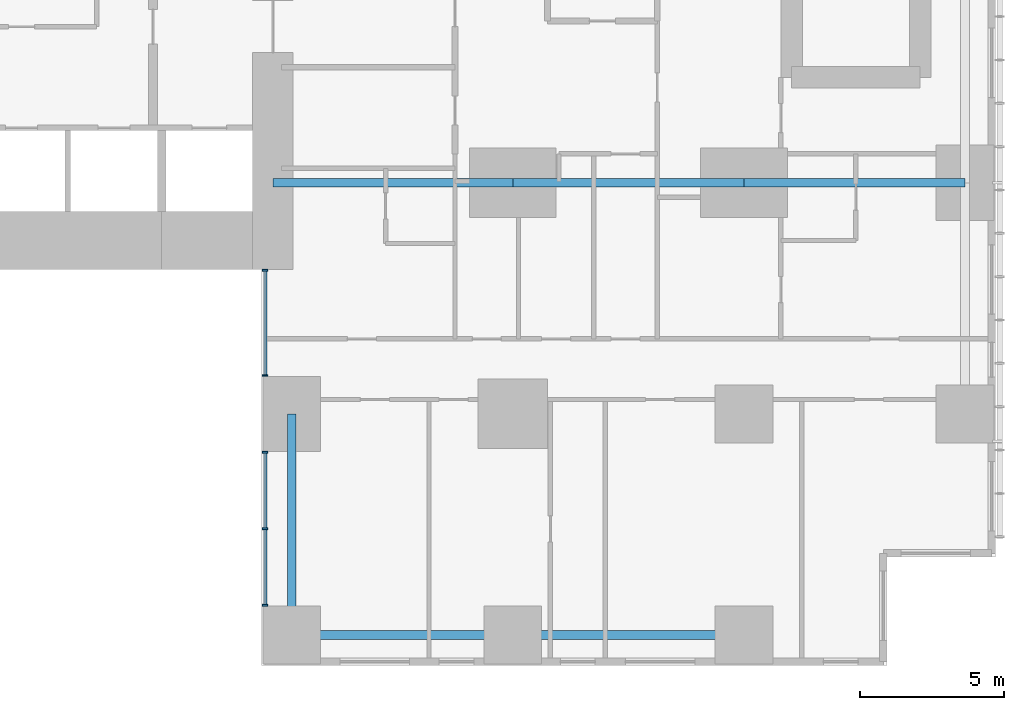
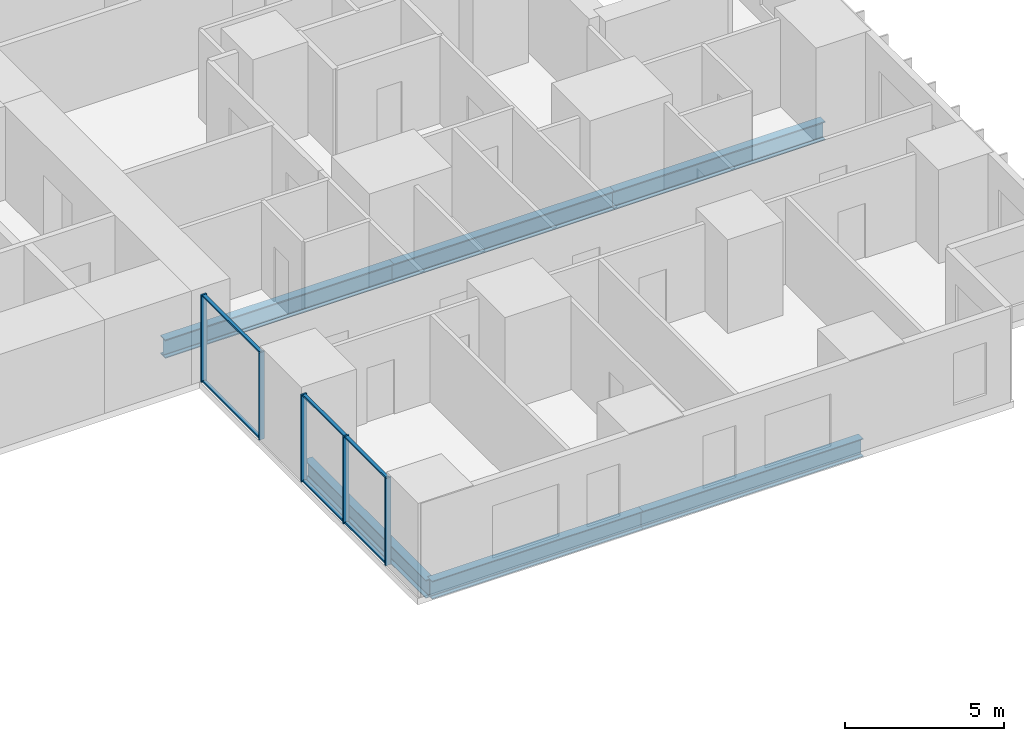
# One storey, part 3 of 20: 11 members, 6 beams, 2 elements without a shape of their own.
"""IFC4 building model written with IfcOpenShell, lengths in metres."""

import ifcopenshell
import ifcopenshell.guid

model = None  # the IFC model being written
_history = None  # IfcOwnerHistory: only IFC2X3 demands one
_inside = {}  # id of a spatial element -> (the spatial element, [elements in it])
_under = {}  # id of a project, library or spatial element -> (it, [spatial elements below it])
_declared = {}  # id of a project -> (the project, [libraries it declares])
_typed = {}  # id of a type object -> (the type object, [elements of that type])
_made_of = {}  # id of a material, layer set ... -> (it, [elements and type objects made of it])


def new_model(schema):
    """Start an empty IFC model of exactly this schema.

    Asked for "IFC4X3", IfcOpenShell would pick the latest addendum, in which some entities
    have other attributes; the version numbers below select the first issue.
    IFC2X3 requires an IfcOwnerHistory on every rooted entity: one is made here for all.
    """
    global model, _history
    if schema == "IFC4X3":
        model = ifcopenshell.file(schema_version=(4, 3, 0, 0))
    else:
        model = ifcopenshell.file(schema=schema)
    _inside.clear()
    _under.clear()
    _declared.clear()
    _typed.clear()
    _made_of.clear()
    _history = None
    if model.schema == "IFC2X3":
        org = make("IfcOrganization", Name="unknown")
        user = make(
            "IfcPersonAndOrganization",
            ThePerson=make("IfcPerson", FamilyName="unknown"),
            TheOrganization=org,
        )
        app = make(
            "IfcApplication",
            ApplicationDeveloper=org,
            Version="unknown",
            ApplicationFullName="unknown",
            ApplicationIdentifier="unknown",
        )
        _history = make(
            "IfcOwnerHistory",
            OwningUser=user,
            OwningApplication=app,
            ChangeAction="ADDED",
            CreationDate=0,
        )
    return model


def make(cls, **values):
    """One entity of the class cls with the attributes given. An attribute that is None is left unset."""
    return model.create_entity(
        cls, **{name: value for name, value in values.items() if value is not None}
    )


def rooted(cls, **values):
    """An entity with a GlobalId (a new one), such as an element, a storey or a relation."""
    return make(cls, GlobalId=ifcopenshell.guid.new(), OwnerHistory=_history, **values)


def si_unit(unit_type, name, prefix=None):
    """IfcSIUnit, for example si_unit("LENGTHUNIT", "METRE", prefix="MILLI")."""
    return make("IfcSIUnit", UnitType=unit_type, Prefix=prefix, Name=name)


def assignment(units):
    """IfcUnitAssignment: the units of a project."""
    return None if units is None else make("IfcUnitAssignment", Units=units)


def point(xyz):
    """IfcCartesianPoint."""
    return None if xyz is None else make("IfcCartesianPoint", Coordinates=xyz)


def direction(xyz):
    """IfcDirection."""
    return None if xyz is None else make("IfcDirection", DirectionRatios=xyz)


def frame(location, z_axis=None, x_axis=None):
    """IfcAxis2Placement3D, a coordinate frame: its origin and axes. An axis left out is left unset."""
    return make(
        "IfcAxis2Placement3D",
        Location=point(location),
        Axis=direction(z_axis),
        RefDirection=direction(x_axis),
    )


def frame_2d(location, x_axis=None):
    """IfcAxis2Placement2D, a coordinate frame in the plane: its origin and x axis."""
    return make(
        "IfcAxis2Placement2D", Location=point(location), RefDirection=direction(x_axis)
    )


def origin():
    """The frame at (0, 0, 0) with its axes left unset."""
    return frame((0.0, 0.0, 0.0))


def origin_2d():
    """The frame at (0, 0) in the plane with its x axis left unset."""
    return frame_2d((0.0, 0.0))


def place(relative_to, where):
    """IfcLocalPlacement: puts the frame where relative to a parent placement (None: the world)."""
    return make(
        "IfcLocalPlacement", PlacementRelTo=relative_to, RelativePlacement=where
    )


def context(
    kind, dimensions, precision=None, world=None, true_north=None, identifier=None
):
    """IfcGeometricRepresentationContext, for example the 3D "Model" context."""
    return make(
        "IfcGeometricRepresentationContext",
        ContextIdentifier=identifier,
        ContextType=kind,
        CoordinateSpaceDimension=dimensions,
        Precision=precision,
        WorldCoordinateSystem=world,
        TrueNorth=true_north,
    )


def subcontext(parent, identifier, kind, view, scale=None):
    """IfcGeometricRepresentationSubContext, for example "Body" below "Model"."""
    return make(
        "IfcGeometricRepresentationSubContext",
        ContextIdentifier=identifier,
        ContextType=kind,
        ParentContext=parent,
        TargetScale=scale,
        TargetView=view,
    )


def project(units=None, contexts=None):
    """IfcProject with its units and contexts."""
    return rooted(
        "IfcProject",
        Name="project",
        RepresentationContexts=contexts,
        UnitsInContext=assignment(units),
    )


def spatial(cls, under=None, at=None, **own):
    """A site, building, storey or space (cls), placed at a placement, below another one or the project."""
    s = rooted(cls, ObjectPlacement=at, **own)
    if under is not None:
        _under.setdefault(under.id(), (under, []))[1].append(s)
    return s


def profile(cls, at=None, kind="AREA", **sizes):
    """A parametric profile (cls). Its sizes go by their IFC names, for example OverallWidth=200.0."""
    return make(cls, ProfileType=kind, Position=at, **sizes)


def rectangle(**sizes):
    """IfcRectangleProfileDef."""
    return profile("IfcRectangleProfileDef", **sizes)


def i_section(**sizes):
    """IfcIShapeProfileDef."""
    return profile("IfcIShapeProfileDef", **sizes)


def extrude(swept, where, along, depth):
    """IfcExtrudedAreaSolid: the profile swept, set in the frame where, extruded along a direction by depth."""
    return make(
        "IfcExtrudedAreaSolid",
        SweptArea=swept,
        Position=where,
        ExtrudedDirection=direction(along),
        Depth=depth,
    )


def shape(context_of_items, identifier, shape_type, items):
    """IfcShapeRepresentation: the items that make up one representation, for example the "Body"."""
    return make(
        "IfcShapeRepresentation",
        ContextOfItems=context_of_items,
        RepresentationIdentifier=identifier,
        RepresentationType=shape_type,
        Items=items,
    )


def material(Name=None, Category=None):
    """IfcMaterial."""
    return make("IfcMaterial", Name=Name, Category=Category)


def layer(
    of_material, thickness, ventilated=None, Name=None, Category=None, Priority=None
):
    """IfcMaterialLayer: one layer of a wall or slab, of a material (None: an air gap)."""
    return make(
        "IfcMaterialLayer",
        Material=of_material,
        LayerThickness=thickness,
        IsVentilated=ventilated,
        Name=Name,
        Category=Category,
        Priority=Priority,
    )


def layer_set(layers, Name=None):
    """IfcMaterialLayerSet."""
    return make("IfcMaterialLayerSet", MaterialLayers=layers, LayerSetName=Name)


def material_profile(
    of_material, cross_section, Name=None, Category=None, Priority=None
):
    """IfcMaterialProfile: a cross section and its material."""
    return make(
        "IfcMaterialProfile",
        Name=Name,
        Material=of_material,
        Profile=cross_section,
        Priority=Priority,
        Category=Category,
    )


def profile_set(profiles, Name=None, composite=None):
    """IfcMaterialProfileSet."""
    return make(
        "IfcMaterialProfileSet",
        Name=Name,
        MaterialProfiles=profiles,
        CompositeProfile=composite,
    )


def made_of(thing, what):
    """Note that an element or type object is made of a material, layer set ...; save() writes the relation."""
    if what is not None:
        _made_of.setdefault(what.id(), (what, []))[1].append(thing)
    return thing


def type_object(cls, material=None, **own):
    """A type object (cls), such as IfcWallType, which elements share."""
    return made_of(rooted(cls, **own), material)


def element(
    cls,
    number,
    at=None,
    inside=None,
    cuts=None,
    type_object=None,
    material=None,
    context=None,
    identifier="Body",
    shape_type=None,
    held_by="IfcProductDefinitionShape",
    body=None,
    shapes=None,
    **own,
):
    """One element of the class cls, such as IfcWall. Its Tag is "e" and its number.

    at: its placement. inside: the storey or other place that contains it. cuts: it is an
    opening in that element (IfcRelVoidsElement). A single representation is given by context,
    identifier, shape_type and body (its items); several are given by shapes. held_by: the class
    of the entity that holds the representations. save() writes the other relations.
    """
    e = rooted(cls, Tag="e%d" % number, ObjectPlacement=at, **own)
    if body is not None:
        shapes = [shape(context, identifier, shape_type, body)]
    if shapes is not None:
        e.Representation = make(held_by, Representations=shapes)
    if inside is not None:
        _inside.setdefault(inside.id(), (inside, []))[1].append(e)
    if cuts is not None:
        rooted(
            "IfcRelVoidsElement", RelatingBuildingElement=cuts, RelatedOpeningElement=e
        )
    if type_object is not None:
        _typed.setdefault(type_object.id(), (type_object, []))[1].append(e)
    return made_of(e, material)


def aggregate(whole, parts):
    """IfcRelAggregates: a whole, such as a stair, and the parts it consists of."""
    return rooted("IfcRelAggregates", RelatingObject=whole, RelatedObjects=parts)


def save(model, path):
    """Write the relations noted so far, then the file.

    IfcRelAggregates (storeys below a building ...), IfcRelContainedInSpatialStructure (elements
    in a storey), IfcRelDefinesByType, IfcRelAssociatesMaterial and IfcRelDeclares: one each for
    every whole, place, type object, material and project.
    """
    for whole, parts in _under.values():
        aggregate(whole, parts)
    for where, things in _inside.values():
        rooted(
            "IfcRelContainedInSpatialStructure",
            RelatedElements=things,
            RelatingStructure=where,
        )
    for kind, things in _typed.values():
        rooted("IfcRelDefinesByType", RelatedObjects=things, RelatingType=kind)
    for what, things in _made_of.values():
        rooted("IfcRelAssociatesMaterial", RelatedObjects=things, RelatingMaterial=what)
    for by, libraries in _declared.values():
        rooted("IfcRelDeclares", RelatingContext=by, RelatedDefinitions=libraries)
    model.write(path)


model = new_model("IFC4")

# Units and contexts
model_context = context("Model", 3, precision=1e-05, world=origin(), true_north=direction((0.0, 1.0)))
body_context = subcontext(model_context, "Body", "Model", "MODEL_VIEW")
ifc_project = project(units=[si_unit("LENGTHUNIT", "METRE"), si_unit("AREAUNIT", "SQUARE_METRE"), si_unit("VOLUMEUNIT", "CUBIC_METRE"), si_unit("PLANEANGLEUNIT", "RADIAN"), si_unit("MASSUNIT", "GRAM", prefix="KILO")], contexts=[model_context])

# Site, building, storey
site_placement = place(None, origin())
site = spatial("IfcSite", under=ifc_project, at=site_placement, CompositionType="ELEMENT")
building_placement = place(site_placement, origin())
building = spatial("IfcBuilding", under=site, at=building_placement, Name="Cleftline Residences", CompositionType="ELEMENT")
storey_placement = place(building_placement, frame((0.0, 0.0, 62.0)))
storey = spatial("IfcBuildingStorey", under=building, at=storey_placement, Name="L15", CompositionType="ELEMENT", Elevation=62.0)

# Beams
ifc_material_1 = material(Name="Steel S355", Category="steel")
ifc_material_profile_1 = material_profile(ifc_material_1, i_section(OverallWidth=0.300048828125, OverallDepth=0.699951171875, WebThickness=0.01708984375, FlangeThickness=0.031982421875, FilletRadius=0.027099609375, at=origin_2d()))
ifc_profile_set_1 = profile_set([ifc_material_profile_1], Name="Steel S355")
beam_type_1 = type_object("IfcBeamType", Name="BEAM HEB 700", PredefinedType="BEAM", material=ifc_profile_set_1)
beam_1_placement = place(storey_placement, frame((58.0, 0.35009765625, -0.60009765625), z_axis=(-1.0, 0.0, 0.0), x_axis=(0.0, -1.0, 0.0)))
element("IfcBeam", 1, at=beam_1_placement, inside=storey, type_object=beam_type_1, Name="Edge beam", PredefinedType="BEAM", context=body_context, shape_type="SweptSolid", body=[
    extrude(i_section(OverallWidth=0.300048828125, OverallDepth=0.699951171875, WebThickness=0.01708984375, FlangeThickness=0.031982421875, FilletRadius=0.027099609375, at=origin_2d()), origin(), (0.0, 0.0, 1.0), 8.0),
])
for number, where, z_axis, x_axis, name in (
    (2, (50.0, 0.35009765625, -0.60009765625), (-1.0, 0.0, 0.0), (0.0, -1.0, 0.0), "Edge beam"),
    (3, (42.35009765625, 0.35009765625, -0.60009765625), (0.0, 1.0, 0.0), (-1.0, 0.0, 0.0), "Edge beam"),
):
    element("IfcBeam", number, at=place(storey_placement, frame(where, z_axis=z_axis, x_axis=x_axis)), inside=storey, type_object=beam_type_1, Name=name, PredefinedType="BEAM", context=body_context, shape_type="SweptSolid", body=[
        extrude(i_section(OverallWidth=0.300048828125, OverallDepth=0.699951171875, WebThickness=0.01708984375, FlangeThickness=0.031982421875, FilletRadius=0.027099609375, at=origin_2d()), origin(), (0.0, 0.0, 1.0), 7.64990234375),
    ])
ifc_material_2 = material(Name="Steel S355", Category="steel")
ifc_material_profile_2 = material_profile(ifc_material_2, i_section(OverallWidth=0.303955078125, OverallDepth=0.716064453125, WebThickness=0.02099609375, FlangeThickness=0.0400390625, FilletRadius=0.027099609375, at=origin_2d()))
ifc_profile_set_2 = profile_set([ifc_material_profile_2], Name="Steel S355")
beam_type_2 = type_object("IfcBeamType", Name="BEAM HEM 700", PredefinedType="BEAM", material=ifc_profile_set_2)
beam_2_placement = place(storey_placement, frame((65.64990234375, 16.0, -0.60791015625), z_axis=(-1.0, 0.0, 0.0), x_axis=(0.0, -1.0, 0.0)))
element("IfcBeam", 4, at=beam_2_placement, inside=storey, type_object=beam_type_2, Name="Band beam", PredefinedType="BEAM", context=body_context, shape_type="SweptSolid", body=[
    extrude(i_section(OverallWidth=0.303955078125, OverallDepth=0.716064453125, WebThickness=0.02099609375, FlangeThickness=0.0400390625, FilletRadius=0.027099609375, at=origin_2d()), origin(), (0.0, 0.0, 1.0), 7.64990234375),
])
beam_3_placement = place(storey_placement, frame((58.0, 16.0, -0.60791015625), z_axis=(-1.0, 0.0, 0.0), x_axis=(0.0, -1.0, 0.0)))
element("IfcBeam", 5, at=beam_3_placement, inside=storey, type_object=beam_type_2, Name="Band beam", PredefinedType="BEAM", context=body_context, shape_type="SweptSolid", body=[
    extrude(i_section(OverallWidth=0.303955078125, OverallDepth=0.716064453125, WebThickness=0.02099609375, FlangeThickness=0.0400390625, FilletRadius=0.027099609375, at=origin_2d()), origin(), (0.0, 0.0, 1.0), 8.0),
])
beam_4_placement = place(storey_placement, frame((50.0, 16.0, -0.60791015625), z_axis=(-1.0, 0.0, 0.0), x_axis=(0.0, -1.0, 0.0)))
element("IfcBeam", 6, at=beam_4_placement, inside=storey, type_object=beam_type_2, Name="Band beam", PredefinedType="BEAM", context=body_context, shape_type="SweptSolid", body=[
    extrude(i_section(OverallWidth=0.303955078125, OverallDepth=0.716064453125, WebThickness=0.02099609375, FlangeThickness=0.0400390625, FilletRadius=0.027099609375, at=origin_2d()), origin(), (0.0, 0.0, 1.0), 8.300048828125),
])

# Curtain wall, members
ifc_material_3 = material(Name="Aluminium framed curtain wall", Category="aluminium")
ifc_layer = layer(ifc_material_3, 0.199951171875)
ifc_layer_set = layer_set([ifc_layer], Name="CW1 CLEFT GLAZING")
curtain_wall_type = type_object("IfcCurtainWallType", Name="CW1 CLEFT GLAZING", PredefinedType="NOTDEFINED", material=ifc_layer_set)
curtain_wall_1_placement = place(storey_placement, origin())
curtain_wall_1 = element("IfcCurtainWall", 7, at=curtain_wall_1_placement, inside=storey, type_object=curtain_wall_type, Name="Curtain wall CW1", PredefinedType="NOTDEFINED")
ifc_material_4 = material(Name="Aluminium mullion", Category="aluminium")
ifc_material_profile_3 = material_profile(ifc_material_4, rectangle(XDim=0.199951171875, YDim=0.06005859375, at=origin_2d()))
ifc_profile_set_3 = profile_set([ifc_material_profile_3], Name="Aluminium mullion")
member_type_1 = type_object("IfcMemberType", Name="CW1 MULLION", PredefinedType="MULLION", material=ifc_profile_set_3)
member_1_placement = place(storey_placement, frame((41.425048828125, 12.969970703125, 0.0), z_axis=(0.0, 0.0, 1.0), x_axis=(1.0, 0.0, 0.0)))
member_1 = element("IfcMember", 8, at=member_1_placement, type_object=member_type_1, Name="CW1 mullion 1", PredefinedType="MULLION", context=body_context, shape_type="SweptSolid", body=[
    extrude(rectangle(XDim=0.199951171875, YDim=0.06005859375, at=origin_2d()), origin(), (0.0, 0.0, 1.0), 3.35009765625),
])
member_2_placement = place(storey_placement, frame((41.425048828125, 9.330078125, 0.0), z_axis=(0.0, 0.0, 1.0), x_axis=(1.0, 0.0, 0.0)))
member_2 = element("IfcMember", 9, at=member_2_placement, type_object=member_type_1, Name="CW1 mullion 2", PredefinedType="MULLION", context=body_context, shape_type="SweptSolid", body=[
    extrude(rectangle(XDim=0.199951171875, YDim=0.06005859375, at=origin_2d()), origin(), (0.0, 0.0, 1.0), 3.35009765625),
])

curtain_wall_2_placement = place(storey_placement, origin())
curtain_wall_2 = element("IfcCurtainWall", 10, at=curtain_wall_2_placement, inside=storey, type_object=curtain_wall_type, Name="Curtain wall CW1", PredefinedType="NOTDEFINED")
member_3_placement = place(storey_placement, frame((41.425048828125, 6.669921875, 0.0), z_axis=(0.0, 0.0, 1.0), x_axis=(1.0, 0.0, 0.0)))
member_3 = element("IfcMember", 11, at=member_3_placement, type_object=member_type_1, Name="CW1 mullion 1", PredefinedType="MULLION", context=body_context, shape_type="SweptSolid", body=[
    extrude(rectangle(XDim=0.199951171875, YDim=0.06005859375, at=origin_2d()), origin(), (0.0, 0.0, 1.0), 3.35009765625),
])
member_4_placement = place(storey_placement, frame((41.425048828125, 4.02490234375, 0.0), z_axis=(0.0, 0.0, 1.0), x_axis=(1.0, 0.0, 0.0)))
member_4 = element("IfcMember", 12, at=member_4_placement, type_object=member_type_1, Name="CW1 mullion 2", PredefinedType="MULLION", context=body_context, shape_type="SweptSolid", body=[
    extrude(rectangle(XDim=0.199951171875, YDim=0.06005859375, at=origin_2d()), origin(), (0.0, 0.0, 1.0), 3.35009765625),
])
member_5_placement = place(storey_placement, frame((41.425048828125, 1.3798828125, 0.0), z_axis=(0.0, 0.0, 1.0), x_axis=(1.0, 0.0, 0.0)))
member_5 = element("IfcMember", 13, at=member_5_placement, type_object=member_type_1, Name="CW1 mullion 3", PredefinedType="MULLION", context=body_context, shape_type="SweptSolid", body=[
    extrude(rectangle(XDim=0.199951171875, YDim=0.06005859375, at=origin_2d()), origin(), (0.0, 0.0, 1.0), 3.35009765625),
])

# Member
ifc_material_5 = material(Name="Aluminium transom", Category="aluminium")
ifc_material_profile_4 = material_profile(ifc_material_5, rectangle(XDim=0.1201171875, YDim=0.06005859375, at=origin_2d()))
ifc_profile_set_4 = profile_set([ifc_material_profile_4], Name="Aluminium transom")
member_type_2 = type_object("IfcMemberType", Name="CW1 TRANSOM", PredefinedType="USERDEFINED", material=ifc_profile_set_4)
member_6_placement = place(storey_placement, frame((41.425048828125, 12.93994140625, 0.030029296875), z_axis=(0.0, -1.0, 0.0), x_axis=(1.0, 0.0, 0.0)))
member_6 = element("IfcMember", 14, at=member_6_placement, type_object=member_type_2, Name="CW1 transom 1.1", ObjectType="TRANSOM", PredefinedType="USERDEFINED", context=body_context, shape_type="SweptSolid", body=[
    extrude(rectangle(XDim=0.1201171875, YDim=0.06005859375, at=origin_2d()), origin(), (0.0, 0.0, 1.0), 3.579833984375),
])

member_7_placement = place(storey_placement, frame((41.425048828125, 12.93994140625, 3.320068359375), z_axis=(0.0, -1.0, 0.0), x_axis=(1.0, 0.0, 0.0)))
member_7 = element("IfcMember", 15, at=member_7_placement, type_object=member_type_2, Name="CW1 transom 1.2", ObjectType="TRANSOM", PredefinedType="USERDEFINED", context=body_context, shape_type="SweptSolid", body=[
    extrude(rectangle(XDim=0.1201171875, YDim=0.06005859375, at=origin_2d()), origin(), (0.0, 0.0, 1.0), 3.579833984375),
])

aggregate(curtain_wall_1, [member_1, member_2, member_6, member_7])

member_8_placement = place(storey_placement, frame((41.425048828125, 6.639892578125, 0.030029296875), z_axis=(0.0, -1.0, 0.0), x_axis=(1.0, 0.0, 0.0)))
member_8 = element("IfcMember", 16, at=member_8_placement, type_object=member_type_2, Name="CW1 transom 1.1", ObjectType="TRANSOM", PredefinedType="USERDEFINED", context=body_context, shape_type="SweptSolid", body=[
    extrude(rectangle(XDim=0.1201171875, YDim=0.06005859375, at=origin_2d()), origin(), (0.0, 0.0, 1.0), 2.5849609375),
])

member_9_placement = place(storey_placement, frame((41.425048828125, 6.639892578125, 3.320068359375), z_axis=(0.0, -1.0, 0.0), x_axis=(1.0, 0.0, 0.0)))
member_9 = element("IfcMember", 17, at=member_9_placement, type_object=member_type_2, Name="CW1 transom 1.2", ObjectType="TRANSOM", PredefinedType="USERDEFINED", context=body_context, shape_type="SweptSolid", body=[
    extrude(rectangle(XDim=0.1201171875, YDim=0.06005859375, at=origin_2d()), origin(), (0.0, 0.0, 1.0), 2.5849609375),
])

member_10_placement = place(storey_placement, frame((41.425048828125, 3.9951171875, 0.030029296875), z_axis=(0.0, -1.0, 0.0), x_axis=(1.0, 0.0, 0.0)))
member_10 = element("IfcMember", 18, at=member_10_placement, type_object=member_type_2, Name="CW1 transom 2.1", ObjectType="TRANSOM", PredefinedType="USERDEFINED", context=body_context, shape_type="SweptSolid", body=[
    extrude(rectangle(XDim=0.1201171875, YDim=0.06005859375, at=origin_2d()), origin(), (0.0, 0.0, 1.0), 2.585205078125),
])

member_11_placement = place(storey_placement, frame((41.425048828125, 3.9951171875, 3.320068359375), z_axis=(0.0, -1.0, 0.0), x_axis=(1.0, 0.0, 0.0)))
member_11 = element("IfcMember", 19, at=member_11_placement, type_object=member_type_2, Name="CW1 transom 2.2", ObjectType="TRANSOM", PredefinedType="USERDEFINED", context=body_context, shape_type="SweptSolid", body=[
    extrude(rectangle(XDim=0.1201171875, YDim=0.06005859375, at=origin_2d()), origin(), (0.0, 0.0, 1.0), 2.585205078125),
])

aggregate(curtain_wall_2, [member_3, member_4, member_5, member_8, member_9, member_10, member_11])

save(model, "model.ifc")
